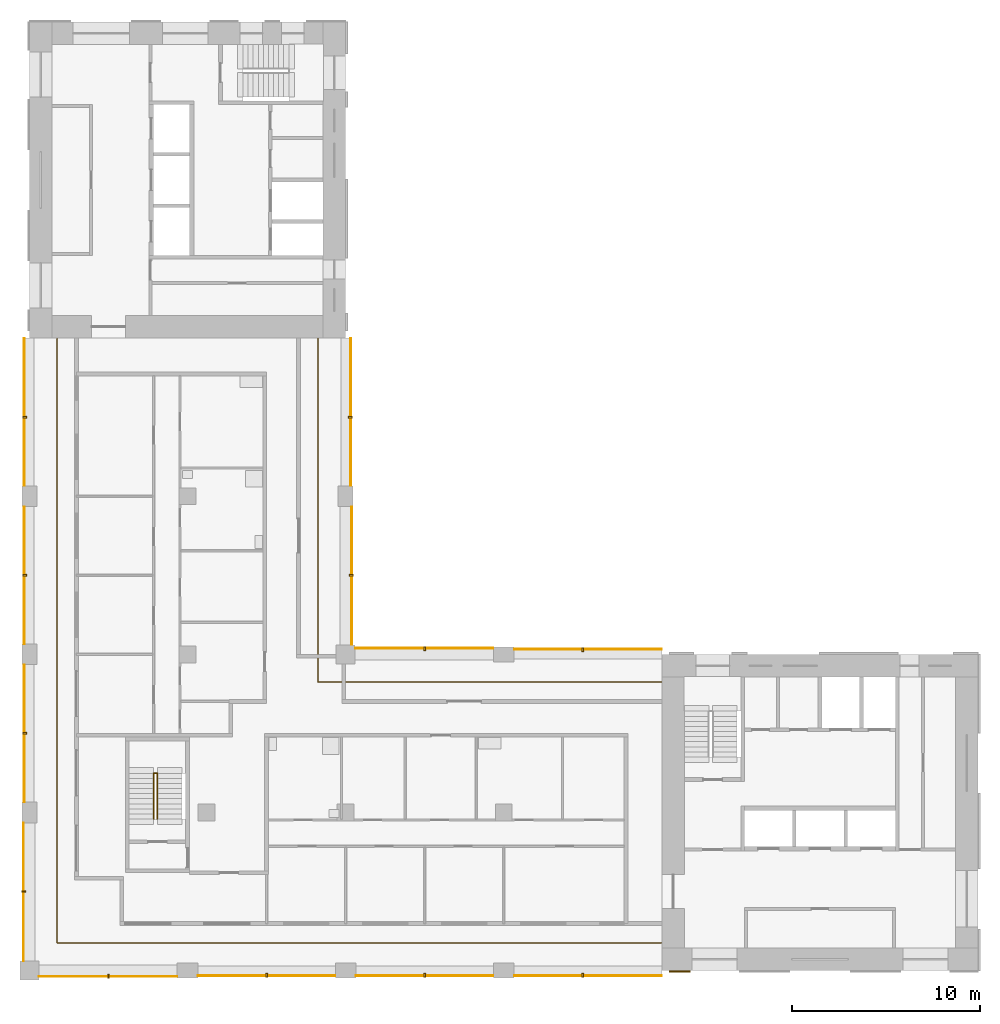
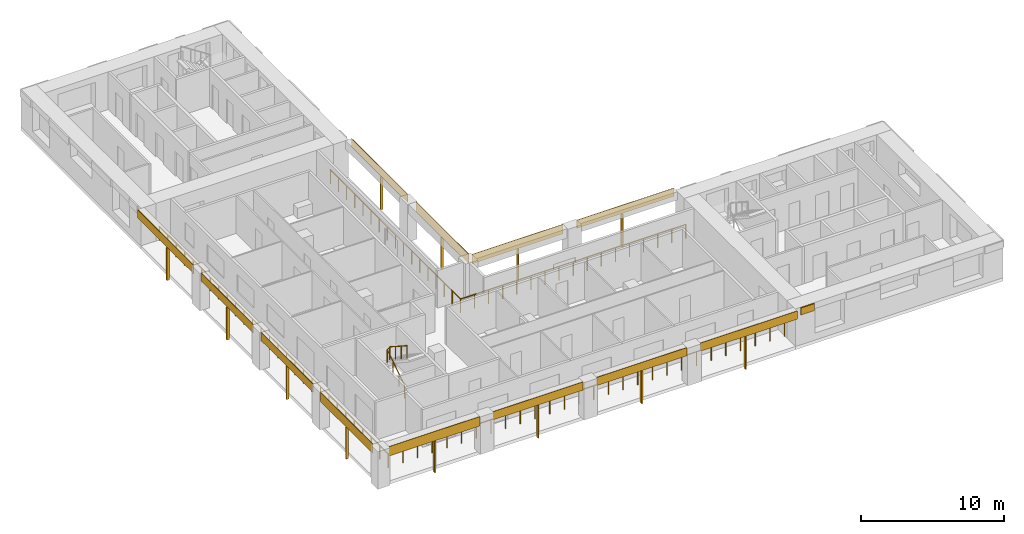
# One storey, part 7 of 9: 25 shading devices, 3 railings.
"""IFC4 building model written with IfcOpenShell, lengths in metres."""

from ifc_helpers import new_model, si_unit, direction, frame, origin, origin_2d, place, context, subcontext, project, spatial, rectangle, circle, extrude, material, layer, layer_set, material_profile, profile_set, type_object, element, save


model = new_model("IFC4")

# Units and contexts
model_context = context("Model", 3, precision=1e-05, world=origin(), true_north=direction((0.0, 1.0)))
body_context = subcontext(model_context, "Body", "Model", "MODEL_VIEW")
ifc_project = project(units=[si_unit("LENGTHUNIT", "METRE"), si_unit("AREAUNIT", "SQUARE_METRE"), si_unit("VOLUMEUNIT", "CUBIC_METRE"), si_unit("PLANEANGLEUNIT", "RADIAN"), si_unit("MASSUNIT", "GRAM", prefix="KILO")], contexts=[model_context])

# Site, building, storey
site_placement = place(None, origin())
site = spatial("IfcSite", under=ifc_project, at=site_placement, CompositionType="ELEMENT")
building_placement = place(site_placement, origin())
building = spatial("IfcBuilding", under=site, at=building_placement, Name="Vermilion Gate Residences", CompositionType="ELEMENT")
storey_placement = place(building_placement, frame((0.0, 0.0, 252.699951171875)))
storey = spatial("IfcBuildingStorey", under=building, at=storey_placement, Name="L66", CompositionType="ELEMENT", Elevation=252.699951171875)

# Railings
ifc_material_1 = material(Name="Stainless steel and toughened glass", Category="steel")
railing_type_1 = type_object("IfcRailingType", Name="LOGGIA GUARD STEEL AND GLASS 1200", PredefinedType="GUARDRAIL", material=ifc_material_1)
railing_1_placement = place(storey_placement, frame((41.97802734375, 23.72509765625, 0.0)))
element("IfcRailing", 1, at=railing_1_placement, inside=storey, type_object=railing_type_1, Name="Loggia guard", PredefinedType="GUARDRAIL", context=body_context, shape_type="SweptSolid", body=[
    extrude(circle(Radius=0.030029296875, at=origin_2d()), frame((0.0, 0.0, 1.169921875), z_axis=(-1.0, 0.0, 0.0), x_axis=(0.0, -1.0, 0.0)), (0.0, 0.0, 1.0), 18.2529296875),
    extrude(circle(Radius=0.030029296875, at=origin_2d()), frame((-18.2529296875, 0.0, 1.169921875), z_axis=(0.0, 1.0, 0.0), x_axis=(-1.0, 0.0, 0.0)), (0.0, 0.0, 1.0), 18.2529296875),
    extrude(circle(Radius=0.02490234375, at=origin_2d()), origin(), (0.0, 0.0, 1.0), 1.139892578125),
    extrude(circle(Radius=0.02490234375, at=origin_2d()), frame((-1.140869140625, 0.0, 0.0)), (0.0, 0.0, 1.0), 1.139892578125),
    extrude(circle(Radius=0.02490234375, at=origin_2d()), frame((-2.28173828125, 0.0, 0.0)), (0.0, 0.0, 1.0), 1.139892578125),
    extrude(circle(Radius=0.02490234375, at=origin_2d()), frame((-3.42236328125, 0.0, 0.0)), (0.0, 0.0, 1.0), 1.139892578125),
    extrude(circle(Radius=0.02490234375, at=origin_2d()), frame((-4.563232421875, 0.0, 0.0)), (0.0, 0.0, 1.0), 1.139892578125),
    extrude(circle(Radius=0.02490234375, at=origin_2d()), frame((-5.7041015625, 0.0, 0.0)), (0.0, 0.0, 1.0), 1.139892578125),
    extrude(circle(Radius=0.02490234375, at=origin_2d()), frame((-6.8447265625, 0.0, 0.0)), (0.0, 0.0, 1.0), 1.139892578125),
    extrude(circle(Radius=0.02490234375, at=origin_2d()), frame((-7.985595703125, 0.0, 0.0)), (0.0, 0.0, 1.0), 1.139892578125),
    extrude(circle(Radius=0.02490234375, at=origin_2d()), frame((-9.12646484375, 0.0, 0.0)), (0.0, 0.0, 1.0), 1.139892578125),
    extrude(circle(Radius=0.02490234375, at=origin_2d()), frame((-10.267333984375, 0.0, 0.0)), (0.0, 0.0, 1.0), 1.139892578125),
    extrude(circle(Radius=0.02490234375, at=origin_2d()), frame((-11.408203125, 0.0, 0.0)), (0.0, 0.0, 1.0), 1.139892578125),
    extrude(circle(Radius=0.02490234375, at=origin_2d()), frame((-12.548828125, 0.0, 0.0)), (0.0, 0.0, 1.0), 1.139892578125),
    extrude(circle(Radius=0.02490234375, at=origin_2d()), frame((-13.689697265625, 0.0, 0.0)), (0.0, 0.0, 1.0), 1.139892578125),
    extrude(circle(Radius=0.02490234375, at=origin_2d()), frame((-14.83056640625, 0.0, 0.0)), (0.0, 0.0, 1.0), 1.139892578125),
    extrude(circle(Radius=0.02490234375, at=origin_2d()), frame((-15.97119140625, 0.0, 0.0)), (0.0, 0.0, 1.0), 1.139892578125),
    extrude(circle(Radius=0.02490234375, at=origin_2d()), frame((-17.112060546875, 0.0, 0.0)), (0.0, 0.0, 1.0), 1.139892578125),
    extrude(circle(Radius=0.02490234375, at=origin_2d()), frame((-18.2529296875, 0.0, 0.0)), (0.0, 0.0, 1.0), 1.139892578125),
    extrude(circle(Radius=0.02490234375, at=origin_2d()), frame((-18.2529296875, 1.140869140625, 0.0)), (0.0, 0.0, 1.0), 1.139892578125),
    extrude(circle(Radius=0.02490234375, at=origin_2d()), frame((-18.2529296875, 2.28173828125, 0.0)), (0.0, 0.0, 1.0), 1.139892578125),
    extrude(circle(Radius=0.02490234375, at=origin_2d()), frame((-18.2529296875, 3.42236328125, 0.0)), (0.0, 0.0, 1.0), 1.139892578125),
    extrude(circle(Radius=0.02490234375, at=origin_2d()), frame((-18.2529296875, 4.563232421875, 0.0)), (0.0, 0.0, 1.0), 1.139892578125),
    extrude(circle(Radius=0.02490234375, at=origin_2d()), frame((-18.2529296875, 5.7041015625, 0.0)), (0.0, 0.0, 1.0), 1.139892578125),
    extrude(circle(Radius=0.02490234375, at=origin_2d()), frame((-18.2529296875, 6.8447265625, 0.0)), (0.0, 0.0, 1.0), 1.139892578125),
    extrude(circle(Radius=0.02490234375, at=origin_2d()), frame((-18.2529296875, 7.985595703125, 0.0)), (0.0, 0.0, 1.0), 1.139892578125),
    extrude(circle(Radius=0.02490234375, at=origin_2d()), frame((-18.2529296875, 9.12646484375, 0.0)), (0.0, 0.0, 1.0), 1.139892578125),
    extrude(circle(Radius=0.02490234375, at=origin_2d()), frame((-18.2529296875, 10.267333984375, 0.0)), (0.0, 0.0, 1.0), 1.139892578125),
    extrude(circle(Radius=0.02490234375, at=origin_2d()), frame((-18.2529296875, 11.408203125, 0.0)), (0.0, 0.0, 1.0), 1.139892578125),
    extrude(circle(Radius=0.02490234375, at=origin_2d()), frame((-18.2529296875, 12.548828125, 0.0)), (0.0, 0.0, 1.0), 1.139892578125),
    extrude(circle(Radius=0.02490234375, at=origin_2d()), frame((-18.2529296875, 13.689697265625, 0.0)), (0.0, 0.0, 1.0), 1.139892578125),
    extrude(circle(Radius=0.02490234375, at=origin_2d()), frame((-18.2529296875, 14.83056640625, 0.0)), (0.0, 0.0, 1.0), 1.139892578125),
    extrude(circle(Radius=0.02490234375, at=origin_2d()), frame((-18.2529296875, 15.97119140625, 0.0)), (0.0, 0.0, 1.0), 1.139892578125),
    extrude(circle(Radius=0.02490234375, at=origin_2d()), frame((-18.2529296875, 17.112060546875, 0.0)), (0.0, 0.0, 1.0), 1.139892578125),
    extrude(circle(Radius=0.02490234375, at=origin_2d()), frame((-18.2529296875, 18.2529296875, 0.0)), (0.0, 0.0, 1.0), 1.139892578125),
])
railing_2_placement = place(storey_placement, frame((9.875, 41.97802734375, 0.0)))
element("IfcRailing", 2, at=railing_2_placement, inside=storey, type_object=railing_type_1, Name="Loggia guard", PredefinedType="GUARDRAIL", context=body_context, shape_type="SweptSolid", body=[
    extrude(circle(Radius=0.030029296875, at=origin_2d()), frame((0.0, 0.0, 1.169921875), z_axis=(0.0, -1.0, 0.0), x_axis=(1.0, 0.0, 0.0)), (0.0, 0.0, 1.0), 32.10302734375),
    extrude(circle(Radius=0.030029296875, at=origin_2d()), frame((0.0, -32.10302734375, 1.169921875), z_axis=(1.0, 0.0, 0.0), x_axis=(0.0, 1.0, 0.0)), (0.0, 0.0, 1.0), 32.10302734375),
    extrude(circle(Radius=0.02490234375, at=origin_2d()), origin(), (0.0, 0.0, 1.0), 1.139892578125),
    extrude(circle(Radius=0.02490234375, at=origin_2d()), frame((0.0, -1.18896484375, 0.0)), (0.0, 0.0, 1.0), 1.139892578125),
    extrude(circle(Radius=0.02490234375, at=origin_2d()), frame((0.0, -2.3779296875, 0.0)), (0.0, 0.0, 1.0), 1.139892578125),
    extrude(circle(Radius=0.02490234375, at=origin_2d()), frame((0.0, -3.56689453125, 0.0)), (0.0, 0.0, 1.0), 1.139892578125),
    extrude(circle(Radius=0.02490234375, at=origin_2d()), frame((0.0, -4.756103515625, 0.0)), (0.0, 0.0, 1.0), 1.139892578125),
    extrude(circle(Radius=0.02490234375, at=origin_2d()), frame((0.0, -5.945068359375, 0.0)), (0.0, 0.0, 1.0), 1.139892578125),
    extrude(circle(Radius=0.02490234375, at=origin_2d()), frame((0.0, -7.134033203125, 0.0)), (0.0, 0.0, 1.0), 1.139892578125),
    extrude(circle(Radius=0.02490234375, at=origin_2d()), frame((0.0, -8.322998046875, 0.0)), (0.0, 0.0, 1.0), 1.139892578125),
    extrude(circle(Radius=0.02490234375, at=origin_2d()), frame((0.0, -9.511962890625, 0.0)), (0.0, 0.0, 1.0), 1.139892578125),
    extrude(circle(Radius=0.02490234375, at=origin_2d()), frame((0.0, -10.700927734375, 0.0)), (0.0, 0.0, 1.0), 1.139892578125),
    extrude(circle(Radius=0.02490234375, at=origin_2d()), frame((0.0, -11.889892578125, 0.0)), (0.0, 0.0, 1.0), 1.139892578125),
    extrude(circle(Radius=0.02490234375, at=origin_2d()), frame((0.0, -13.0791015625, 0.0)), (0.0, 0.0, 1.0), 1.139892578125),
    extrude(circle(Radius=0.02490234375, at=origin_2d()), frame((0.0, -14.26806640625, 0.0)), (0.0, 0.0, 1.0), 1.139892578125),
    extrude(circle(Radius=0.02490234375, at=origin_2d()), frame((0.0, -15.45703125, 0.0)), (0.0, 0.0, 1.0), 1.139892578125),
    extrude(circle(Radius=0.02490234375, at=origin_2d()), frame((0.0, -16.64599609375, 0.0)), (0.0, 0.0, 1.0), 1.139892578125),
    extrude(circle(Radius=0.02490234375, at=origin_2d()), frame((0.0, -17.8349609375, 0.0)), (0.0, 0.0, 1.0), 1.139892578125),
    extrude(circle(Radius=0.02490234375, at=origin_2d()), frame((0.0, -19.02392578125, 0.0)), (0.0, 0.0, 1.0), 1.139892578125),
    extrude(circle(Radius=0.02490234375, at=origin_2d()), frame((0.0, -20.213134765625, 0.0)), (0.0, 0.0, 1.0), 1.139892578125),
    extrude(circle(Radius=0.02490234375, at=origin_2d()), frame((0.0, -21.402099609375, 0.0)), (0.0, 0.0, 1.0), 1.139892578125),
    extrude(circle(Radius=0.02490234375, at=origin_2d()), frame((0.0, -22.591064453125, 0.0)), (0.0, 0.0, 1.0), 1.139892578125),
    extrude(circle(Radius=0.02490234375, at=origin_2d()), frame((0.0, -23.780029296875, 0.0)), (0.0, 0.0, 1.0), 1.139892578125),
    extrude(circle(Radius=0.02490234375, at=origin_2d()), frame((0.0, -24.968994140625, 0.0)), (0.0, 0.0, 1.0), 1.139892578125),
    extrude(circle(Radius=0.02490234375, at=origin_2d()), frame((0.0, -26.157958984375, 0.0)), (0.0, 0.0, 1.0), 1.139892578125),
    extrude(circle(Radius=0.02490234375, at=origin_2d()), frame((0.0, -27.346923828125, 0.0)), (0.0, 0.0, 1.0), 1.139892578125),
    extrude(circle(Radius=0.02490234375, at=origin_2d()), frame((0.0, -28.5361328125, 0.0)), (0.0, 0.0, 1.0), 1.139892578125),
    extrude(circle(Radius=0.02490234375, at=origin_2d()), frame((0.0, -29.72509765625, 0.0)), (0.0, 0.0, 1.0), 1.139892578125),
    extrude(circle(Radius=0.02490234375, at=origin_2d()), frame((0.0, -30.9140625, 0.0)), (0.0, 0.0, 1.0), 1.139892578125),
    extrude(circle(Radius=0.02490234375, at=origin_2d()), frame((0.0, -32.10302734375, 0.0)), (0.0, 0.0, 1.0), 1.139892578125),
    extrude(circle(Radius=0.02490234375, at=origin_2d()), frame((1.18896484375, -32.10302734375, 0.0)), (0.0, 0.0, 1.0), 1.139892578125),
    extrude(circle(Radius=0.02490234375, at=origin_2d()), frame((2.3779296875, -32.10302734375, 0.0)), (0.0, 0.0, 1.0), 1.139892578125),
    extrude(circle(Radius=0.02490234375, at=origin_2d()), frame((3.56689453125, -32.10302734375, 0.0)), (0.0, 0.0, 1.0), 1.139892578125),
    extrude(circle(Radius=0.02490234375, at=origin_2d()), frame((4.756103515625, -32.10302734375, 0.0)), (0.0, 0.0, 1.0), 1.139892578125),
    extrude(circle(Radius=0.02490234375, at=origin_2d()), frame((5.945068359375, -32.10302734375, 0.0)), (0.0, 0.0, 1.0), 1.139892578125),
    extrude(circle(Radius=0.02490234375, at=origin_2d()), frame((7.134033203125, -32.10302734375, 0.0)), (0.0, 0.0, 1.0), 1.139892578125),
    extrude(circle(Radius=0.02490234375, at=origin_2d()), frame((8.322998046875, -32.10302734375, 0.0)), (0.0, 0.0, 1.0), 1.139892578125),
    extrude(circle(Radius=0.02490234375, at=origin_2d()), frame((9.511962890625, -32.10302734375, 0.0)), (0.0, 0.0, 1.0), 1.139892578125),
    extrude(circle(Radius=0.02490234375, at=origin_2d()), frame((10.700927734375, -32.10302734375, 0.0)), (0.0, 0.0, 1.0), 1.139892578125),
    extrude(circle(Radius=0.02490234375, at=origin_2d()), frame((11.889892578125, -32.10302734375, 0.0)), (0.0, 0.0, 1.0), 1.139892578125),
    extrude(circle(Radius=0.02490234375, at=origin_2d()), frame((13.0791015625, -32.10302734375, 0.0)), (0.0, 0.0, 1.0), 1.139892578125),
    extrude(circle(Radius=0.02490234375, at=origin_2d()), frame((14.26806640625, -32.10302734375, 0.0)), (0.0, 0.0, 1.0), 1.139892578125),
    extrude(circle(Radius=0.02490234375, at=origin_2d()), frame((15.45703125, -32.10302734375, 0.0)), (0.0, 0.0, 1.0), 1.139892578125),
    extrude(circle(Radius=0.02490234375, at=origin_2d()), frame((16.64599609375, -32.10302734375, 0.0)), (0.0, 0.0, 1.0), 1.139892578125),
    extrude(circle(Radius=0.02490234375, at=origin_2d()), frame((17.8349609375, -32.10302734375, 0.0)), (0.0, 0.0, 1.0), 1.139892578125),
    extrude(circle(Radius=0.02490234375, at=origin_2d()), frame((19.02392578125, -32.10302734375, 0.0)), (0.0, 0.0, 1.0), 1.139892578125),
    extrude(circle(Radius=0.02490234375, at=origin_2d()), frame((20.213134765625, -32.10302734375, 0.0)), (0.0, 0.0, 1.0), 1.139892578125),
    extrude(circle(Radius=0.02490234375, at=origin_2d()), frame((21.402099609375, -32.10302734375, 0.0)), (0.0, 0.0, 1.0), 1.139892578125),
    extrude(circle(Radius=0.02490234375, at=origin_2d()), frame((22.591064453125, -32.10302734375, 0.0)), (0.0, 0.0, 1.0), 1.139892578125),
    extrude(circle(Radius=0.02490234375, at=origin_2d()), frame((23.780029296875, -32.10302734375, 0.0)), (0.0, 0.0, 1.0), 1.139892578125),
    extrude(circle(Radius=0.02490234375, at=origin_2d()), frame((24.968994140625, -32.10302734375, 0.0)), (0.0, 0.0, 1.0), 1.139892578125),
    extrude(circle(Radius=0.02490234375, at=origin_2d()), frame((26.157958984375, -32.10302734375, 0.0)), (0.0, 0.0, 1.0), 1.139892578125),
    extrude(circle(Radius=0.02490234375, at=origin_2d()), frame((27.346923828125, -32.10302734375, 0.0)), (0.0, 0.0, 1.0), 1.139892578125),
    extrude(circle(Radius=0.02490234375, at=origin_2d()), frame((28.5361328125, -32.10302734375, 0.0)), (0.0, 0.0, 1.0), 1.139892578125),
    extrude(circle(Radius=0.02490234375, at=origin_2d()), frame((29.72509765625, -32.10302734375, 0.0)), (0.0, 0.0, 1.0), 1.139892578125),
    extrude(circle(Radius=0.02490234375, at=origin_2d()), frame((30.9140625, -32.10302734375, 0.0)), (0.0, 0.0, 1.0), 1.139892578125),
    extrude(circle(Radius=0.02490234375, at=origin_2d()), frame((32.10302734375, -32.10302734375, 0.0)), (0.0, 0.0, 1.0), 1.139892578125),
])

# Shading devices
ifc_material_2 = material(Name="Perforated terracotta", Category="masonry")
ifc_layer_1 = layer(ifc_material_2, 0.0400390625)
ifc_layer_set_1 = layer_set([ifc_layer_1], Name="PERFORATED TERRACOTTA SCREEN 40")
shading_device_type_1 = type_object("IfcShadingDeviceType", Name="PERFORATED TERRACOTTA SCREEN 40", PredefinedType="SHUTTER", material=ifc_layer_set_1)
shading_device_1_placement = place(storey_placement, frame((12.574951171875, 8.080078125, 2.419921875), z_axis=(0.0, 0.0, 1.0), x_axis=(1.0, 0.0, 0.0)))
element("IfcShadingDevice", 3, at=shading_device_1_placement, inside=storey, type_object=shading_device_type_1, Name="SCREEN", PredefinedType="SHUTTER", context=body_context, shape_type="SweptSolid", body=[
    extrude(rectangle(XDim=7.35009765625, YDim=0.0400390625, at=origin_2d()), origin(), (0.0, 0.0, 1.0), 0.800048828125),
])
for number, where, z_axis, x_axis, name in (
    (4, (21.0, 8.1298828125, 2.52001953125), (0.0, 0.0, 1.0), (1.0, 0.0, 0.0), "SCREEN"),
    (5, (29.39990234375, 8.1298828125, 2.52001953125), (0.0, 0.0, 1.0), (1.0, 0.0, 0.0), "SCREEN"),
):
    element("IfcShadingDevice", number, at=place(storey_placement, frame(where, z_axis=z_axis, x_axis=x_axis)), inside=storey, type_object=shading_device_type_1, Name=name, PredefinedType="SHUTTER", context=body_context, shape_type="SweptSolid", body=[
        extrude(rectangle(XDim=7.300048828125, YDim=0.0400390625, at=origin_2d()), origin(), (0.0, 0.0, 1.0), 0.699951171875),
    ])
shading_device_2_placement = place(storey_placement, frame((38.074951171875, 8.1298828125, 2.52001953125), z_axis=(0.0, 0.0, 1.0), x_axis=(1.0, 0.0, 0.0)))
element("IfcShadingDevice", 6, at=shading_device_2_placement, inside=storey, type_object=shading_device_type_1, Name="SCREEN", PredefinedType="SHUTTER", context=body_context, shape_type="SweptSolid", body=[
    extrude(rectangle(XDim=7.85009765625, YDim=0.0400390625, at=origin_2d()), origin(), (0.0, 0.0, 1.0), 0.699951171875),
])
shading_device_3_placement = place(storey_placement, frame((29.375, 25.52001953125, 2.419921875), z_axis=(0.0, 0.0, 1.0), x_axis=(-1.0, 0.0, 0.0)))
element("IfcShadingDevice", 7, at=shading_device_3_placement, inside=storey, type_object=shading_device_type_1, Name="SCREEN", PredefinedType="SHUTTER", context=body_context, shape_type="SweptSolid", body=[
    extrude(rectangle(XDim=7.35009765625, YDim=0.0400390625, at=origin_2d()), origin(), (0.0, 0.0, 1.0), 0.800048828125),
])
shading_device_4_placement = place(storey_placement, frame((38.074951171875, 25.469970703125, 2.52001953125), z_axis=(0.0, 0.0, 1.0), x_axis=(-1.0, 0.0, 0.0)))
element("IfcShadingDevice", 8, at=shading_device_4_placement, inside=storey, type_object=shading_device_type_1, Name="SCREEN", PredefinedType="SHUTTER", context=body_context, shape_type="SweptSolid", body=[
    extrude(rectangle(XDim=7.85009765625, YDim=0.0400390625, at=origin_2d()), origin(), (0.0, 0.0, 1.0), 0.699951171875),
])
shading_device_5_placement = place(storey_placement, frame((25.52001953125, 29.375, 2.419921875), z_axis=(0.0, 0.0, 1.0), x_axis=(0.0, 1.0, 0.0)))
element("IfcShadingDevice", 9, at=shading_device_5_placement, inside=storey, type_object=shading_device_type_1, Name="SCREEN", PredefinedType="SHUTTER", context=body_context, shape_type="SweptSolid", body=[
    extrude(rectangle(XDim=7.35009765625, YDim=0.0400390625, at=origin_2d()), origin(), (0.0, 0.0, 1.0), 0.800048828125),
])
shading_device_6_placement = place(storey_placement, frame((25.469970703125, 38.074951171875, 2.52001953125), z_axis=(0.0, 0.0, 1.0), x_axis=(0.0, 1.0, 0.0)))
element("IfcShadingDevice", 10, at=shading_device_6_placement, inside=storey, type_object=shading_device_type_1, Name="SCREEN", PredefinedType="SHUTTER", context=body_context, shape_type="SweptSolid", body=[
    extrude(rectangle(XDim=7.85009765625, YDim=0.0400390625, at=origin_2d()), origin(), (0.0, 0.0, 1.0), 0.699951171875),
])
shading_device_7_placement = place(storey_placement, frame((8.080078125, 12.574951171875, 2.419921875), z_axis=(0.0, 0.0, 1.0), x_axis=(0.0, -1.0, 0.0)))
element("IfcShadingDevice", 11, at=shading_device_7_placement, inside=storey, type_object=shading_device_type_1, Name="SCREEN", PredefinedType="SHUTTER", context=body_context, shape_type="SweptSolid", body=[
    extrude(rectangle(XDim=7.35009765625, YDim=0.0400390625, at=origin_2d()), origin(), (0.0, 0.0, 1.0), 0.800048828125),
])
for number, where, z_axis, x_axis, name in (
    (12, (8.1298828125, 21.0, 2.52001953125), (0.0, 0.0, 1.0), (0.0, -1.0, 0.0), "SCREEN"),
    (13, (8.1298828125, 29.39990234375, 2.52001953125), (0.0, 0.0, 1.0), (0.0, -1.0, 0.0), "SCREEN"),
):
    element("IfcShadingDevice", number, at=place(storey_placement, frame(where, z_axis=z_axis, x_axis=x_axis)), inside=storey, type_object=shading_device_type_1, Name=name, PredefinedType="SHUTTER", context=body_context, shape_type="SweptSolid", body=[
        extrude(rectangle(XDim=7.300048828125, YDim=0.0400390625, at=origin_2d()), origin(), (0.0, 0.0, 1.0), 0.699951171875),
    ])
shading_device_8_placement = place(storey_placement, frame((8.1298828125, 38.074951171875, 2.52001953125), z_axis=(0.0, 0.0, 1.0), x_axis=(0.0, -1.0, 0.0)))
element("IfcShadingDevice", 14, at=shading_device_8_placement, inside=storey, type_object=shading_device_type_1, Name="SCREEN", PredefinedType="SHUTTER", context=body_context, shape_type="SweptSolid", body=[
    extrude(rectangle(XDim=7.85009765625, YDim=0.0400390625, at=origin_2d()), origin(), (0.0, 0.0, 1.0), 0.699951171875),
])

# Railing
ifc_material_3 = material(Name="Steel S355", Category="steel")
railing_type_2 = type_object("IfcRailingType", Name="STAIR GUARD 1100 STEEL", PredefinedType="GUARDRAIL", material=ifc_material_3)
railing_3_placement = place(storey_placement, frame((15.0, 16.449951171875, 0.175048828125)))
element("IfcRailing", 15, at=railing_3_placement, inside=storey, type_object=railing_type_2, Name="Stair well guard STC1-66", PredefinedType="GUARDRAIL", context=body_context, shape_type="SweptSolid", body=[
    extrude(circle(Radius=0.02392578125, at=origin_2d()), frame((0.0, 0.0, 1.076171875), z_axis=(0.0, 0.839153699163, 0.543894354798), x_axis=(-1.0, 0.0, 0.0)), (0.0, 0.0, 1.0), 2.895751953125),
    extrude(circle(Radius=0.02392578125, at=origin_2d()), frame((0.0, 2.429931640625, 2.65087890625), z_axis=(0.752405939678, 0.0, 0.658699705433), x_axis=(0.0, 1.0, 0.0)), (0.0, 0.0, 1.0), 0.265869140625),
    extrude(circle(Radius=0.02392578125, at=origin_2d()), frame((0.199951171875, 2.429931640625, 2.826171875), z_axis=(0.0, -0.839153699163, 0.543894354798), x_axis=(1.0, 0.0, 0.0)), (0.0, 0.0, 1.0), 2.895751953125),
    extrude(circle(Radius=0.02099609375, at=origin_2d()), origin(), (0.0, 0.0, 1.0), 1.052001953125),
    extrude(circle(Radius=0.02099609375, at=origin_2d()), frame((0.0, 0.81005859375, 0.52490234375)), (0.0, 0.0, 1.0), 1.052001953125),
    extrude(circle(Radius=0.02099609375, at=origin_2d()), frame((0.0, 1.619873046875, 1.050048828125)), (0.0, 0.0, 1.0), 1.052001953125),
    extrude(circle(Radius=0.02099609375, at=origin_2d()), frame((0.0, 2.429931640625, 1.574951171875)), (0.0, 0.0, 1.0), 1.052001953125),
    extrude(circle(Radius=0.02099609375, at=origin_2d()), frame((0.199951171875, 2.429931640625, 1.75)), (0.0, 0.0, 1.0), 1.052001953125),
    extrude(circle(Radius=0.02099609375, at=origin_2d()), frame((0.199951171875, 1.619873046875, 2.27490234375)), (0.0, 0.0, 1.0), 1.052001953125),
    extrude(circle(Radius=0.02099609375, at=origin_2d()), frame((0.199951171875, 0.81005859375, 2.800048828125)), (0.0, 0.0, 1.0), 1.052001953125),
    extrude(circle(Radius=0.02099609375, at=origin_2d()), frame((0.199951171875, 0.0, 3.324951171875)), (0.0, 0.0, 1.0), 1.052001953125),
])

# Shading devices
ifc_material_4 = material(Name="Extruded terracotta", Category="masonry")
ifc_material_profile = material_profile(ifc_material_4, rectangle(XDim=0.199951171875, YDim=0.10009765625, at=origin_2d()), Name="BAGUETTE 100 X 200")
ifc_profile_set = profile_set([ifc_material_profile], Name="Extruded terracotta")
shading_device_type_2 = type_object("IfcShadingDeviceType", Name="TERRACOTTA BAGUETTE 100 X 200", PredefinedType="JALOUSIE", material=ifc_profile_set)
shading_device_9_placement = place(storey_placement, frame((12.60009765625, 8.10009765625, -0.280029296875), z_axis=(0.0, 0.0, 1.0), x_axis=(0.0, 1.0, 0.0)))
element("IfcShadingDevice", 16, at=shading_device_9_placement, inside=storey, type_object=shading_device_type_2, Name="BAGUETTE", PredefinedType="JALOUSIE", context=body_context, shape_type="SweptSolid", body=[
    extrude(rectangle(XDim=0.199951171875, YDim=0.10009765625, at=origin_2d()), origin(), (0.0, 0.0, 1.0), 2.7001953125),
])
for number, where, z_axis, x_axis, name in (
    (17, (21.0, 8.14990234375, -0.280029296875), (0.0, 0.0, 1.0), (0.0, 1.0, 0.0), "BAGUETTE"),
    (18, (29.39990234375, 8.14990234375, -0.280029296875), (0.0, 0.0, 1.0), (0.0, 1.0, 0.0), "BAGUETTE"),
    (19, (37.800048828125, 8.14990234375, -0.280029296875), (0.0, 0.0, 1.0), (0.0, 1.0, 0.0), "BAGUETTE"),
):
    element("IfcShadingDevice", number, at=place(storey_placement, frame(where, z_axis=z_axis, x_axis=x_axis)), inside=storey, type_object=shading_device_type_2, Name=name, PredefinedType="JALOUSIE", context=body_context, shape_type="SweptSolid", body=[
        extrude(rectangle(XDim=0.199951171875, YDim=0.10009765625, at=origin_2d()), origin(), (0.0, 0.0, 1.0), 2.800048828125),
    ])
shading_device_10_placement = place(storey_placement, frame((29.39990234375, 25.5, -0.280029296875), z_axis=(0.0, 0.0, 1.0), x_axis=(0.0, -1.0, 0.0)))
element("IfcShadingDevice", 20, at=shading_device_10_placement, inside=storey, type_object=shading_device_type_2, Name="BAGUETTE", PredefinedType="JALOUSIE", context=body_context, shape_type="SweptSolid", body=[
    extrude(rectangle(XDim=0.199951171875, YDim=0.10009765625, at=origin_2d()), origin(), (0.0, 0.0, 1.0), 2.7001953125),
])
shading_device_11_placement = place(storey_placement, frame((37.800048828125, 25.449951171875, -0.280029296875), z_axis=(0.0, 0.0, 1.0), x_axis=(0.0, -1.0, 0.0)))
element("IfcShadingDevice", 21, at=shading_device_11_placement, inside=storey, type_object=shading_device_type_2, Name="BAGUETTE", PredefinedType="JALOUSIE", context=body_context, shape_type="SweptSolid", body=[
    extrude(rectangle(XDim=0.199951171875, YDim=0.10009765625, at=origin_2d()), origin(), (0.0, 0.0, 1.0), 2.800048828125),
])
shading_device_12_placement = place(storey_placement, frame((25.5, 29.39990234375, -0.280029296875), z_axis=(0.0, 0.0, 1.0), x_axis=(-1.0, 0.0, 0.0)))
element("IfcShadingDevice", 22, at=shading_device_12_placement, inside=storey, type_object=shading_device_type_2, Name="BAGUETTE", PredefinedType="JALOUSIE", context=body_context, shape_type="SweptSolid", body=[
    extrude(rectangle(XDim=0.199951171875, YDim=0.10009765625, at=origin_2d()), origin(), (0.0, 0.0, 1.0), 2.7001953125),
])
shading_device_13_placement = place(storey_placement, frame((25.449951171875, 37.800048828125, -0.280029296875), z_axis=(0.0, 0.0, 1.0), x_axis=(-1.0, 0.0, 0.0)))
element("IfcShadingDevice", 23, at=shading_device_13_placement, inside=storey, type_object=shading_device_type_2, Name="BAGUETTE", PredefinedType="JALOUSIE", context=body_context, shape_type="SweptSolid", body=[
    extrude(rectangle(XDim=0.199951171875, YDim=0.10009765625, at=origin_2d()), origin(), (0.0, 0.0, 1.0), 2.800048828125),
])
shading_device_14_placement = place(storey_placement, frame((8.10009765625, 12.60009765625, -0.280029296875), z_axis=(0.0, 0.0, 1.0), x_axis=(1.0, 0.0, 0.0)))
element("IfcShadingDevice", 24, at=shading_device_14_placement, inside=storey, type_object=shading_device_type_2, Name="BAGUETTE", PredefinedType="JALOUSIE", context=body_context, shape_type="SweptSolid", body=[
    extrude(rectangle(XDim=0.199951171875, YDim=0.10009765625, at=origin_2d()), origin(), (0.0, 0.0, 1.0), 2.7001953125),
])
for number, where, z_axis, x_axis, name in (
    (25, (8.14990234375, 21.0, -0.280029296875), (0.0, 0.0, 1.0), (1.0, 0.0, 0.0), "BAGUETTE"),
    (26, (8.14990234375, 29.39990234375, -0.280029296875), (0.0, 0.0, 1.0), (1.0, 0.0, 0.0), "BAGUETTE"),
    (27, (8.14990234375, 37.800048828125, -0.280029296875), (0.0, 0.0, 1.0), (1.0, 0.0, 0.0), "BAGUETTE"),
):
    element("IfcShadingDevice", number, at=place(storey_placement, frame(where, z_axis=z_axis, x_axis=x_axis)), inside=storey, type_object=shading_device_type_2, Name=name, PredefinedType="JALOUSIE", context=body_context, shape_type="SweptSolid", body=[
        extrude(rectangle(XDim=0.199951171875, YDim=0.10009765625, at=origin_2d()), origin(), (0.0, 0.0, 1.0), 2.800048828125),
    ])
ifc_material_5 = material(Name="Extruded terracotta", Category="masonry")
ifc_layer_2 = layer(ifc_material_5, 0.10009765625)
ifc_layer_set_2 = layer_set([ifc_layer_2], Name="TERRACOTTA SPANDREL BAND 600 X 100")
shading_device_type_3 = type_object("IfcShadingDeviceType", Name="TERRACOTTA SPANDREL BAND 600 X 100", PredefinedType="USERDEFINED", material=ifc_layer_set_2)
shading_device_15_placement = place(storey_placement, frame((42.949951171875, 8.35009765625, 2.6201171875), z_axis=(0.0, 0.0, 1.0), x_axis=(1.0, 0.0, 0.0)))
element("IfcShadingDevice", 28, at=shading_device_15_placement, inside=storey, type_object=shading_device_type_3, Name="SPANDREL BAND", ObjectType="BAND", PredefinedType="USERDEFINED", context=body_context, shape_type="SweptSolid", body=[
    extrude(rectangle(XDim=1.10009765625, YDim=0.10009765625, at=origin_2d()), origin(), (0.0, 0.0, 1.0), 0.60009765625),
])

save(model, "model.ifc")
